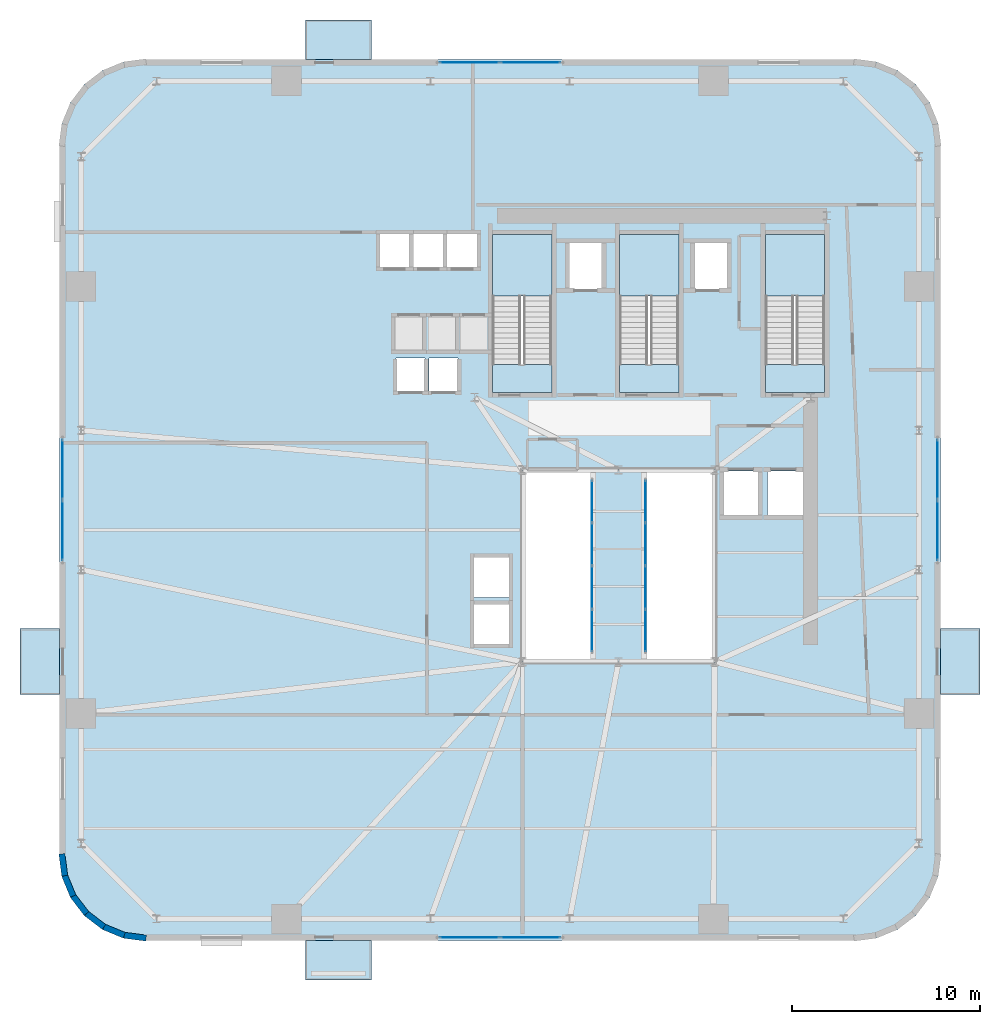
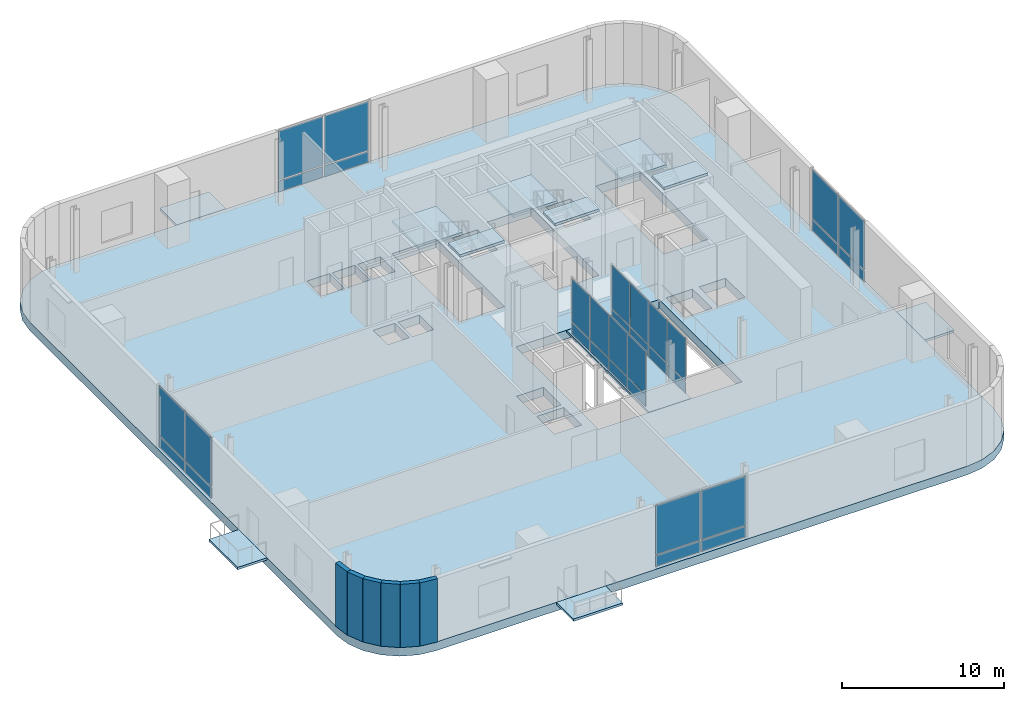
# One storey, part 6 of 13: 32 plates, 12 slabs, 6 walls, 9 elements without a shape of their own.
"""IFC4 building model written with IfcOpenShell, lengths in metres."""

import ifcopenshell
import ifcopenshell.guid

model = None  # the IFC model being written
_history = None  # IfcOwnerHistory: only IFC2X3 demands one
_inside = {}  # id of a spatial element -> (the spatial element, [elements in it])
_under = {}  # id of a project, library or spatial element -> (it, [spatial elements below it])
_declared = {}  # id of a project -> (the project, [libraries it declares])
_typed = {}  # id of a type object -> (the type object, [elements of that type])
_made_of = {}  # id of a material, layer set ... -> (it, [elements and type objects made of it])


def new_model(schema):
    """Start an empty IFC model of exactly this schema.

    Asked for "IFC4X3", IfcOpenShell would pick the latest addendum, in which some entities
    have other attributes; the version numbers below select the first issue.
    IFC2X3 requires an IfcOwnerHistory on every rooted entity: one is made here for all.
    """
    global model, _history
    if schema == "IFC4X3":
        model = ifcopenshell.file(schema_version=(4, 3, 0, 0))
    else:
        model = ifcopenshell.file(schema=schema)
    _inside.clear()
    _under.clear()
    _declared.clear()
    _typed.clear()
    _made_of.clear()
    _history = None
    if model.schema == "IFC2X3":
        org = make("IfcOrganization", Name="unknown")
        user = make(
            "IfcPersonAndOrganization",
            ThePerson=make("IfcPerson", FamilyName="unknown"),
            TheOrganization=org,
        )
        app = make(
            "IfcApplication",
            ApplicationDeveloper=org,
            Version="unknown",
            ApplicationFullName="unknown",
            ApplicationIdentifier="unknown",
        )
        _history = make(
            "IfcOwnerHistory",
            OwningUser=user,
            OwningApplication=app,
            ChangeAction="ADDED",
            CreationDate=0,
        )
    return model


def make(cls, **values):
    """One entity of the class cls with the attributes given. An attribute that is None is left unset."""
    return model.create_entity(
        cls, **{name: value for name, value in values.items() if value is not None}
    )


def rooted(cls, **values):
    """An entity with a GlobalId (a new one), such as an element, a storey or a relation."""
    return make(cls, GlobalId=ifcopenshell.guid.new(), OwnerHistory=_history, **values)


def si_unit(unit_type, name, prefix=None):
    """IfcSIUnit, for example si_unit("LENGTHUNIT", "METRE", prefix="MILLI")."""
    return make("IfcSIUnit", UnitType=unit_type, Prefix=prefix, Name=name)


def assignment(units):
    """IfcUnitAssignment: the units of a project."""
    return None if units is None else make("IfcUnitAssignment", Units=units)


def point(xyz):
    """IfcCartesianPoint."""
    return None if xyz is None else make("IfcCartesianPoint", Coordinates=xyz)


def direction(xyz):
    """IfcDirection."""
    return None if xyz is None else make("IfcDirection", DirectionRatios=xyz)


def frame(location, z_axis=None, x_axis=None):
    """IfcAxis2Placement3D, a coordinate frame: its origin and axes. An axis left out is left unset."""
    return make(
        "IfcAxis2Placement3D",
        Location=point(location),
        Axis=direction(z_axis),
        RefDirection=direction(x_axis),
    )


def frame_2d(location, x_axis=None):
    """IfcAxis2Placement2D, a coordinate frame in the plane: its origin and x axis."""
    return make(
        "IfcAxis2Placement2D", Location=point(location), RefDirection=direction(x_axis)
    )


def origin():
    """The frame at (0, 0, 0) with its axes left unset."""
    return frame((0.0, 0.0, 0.0))


def origin_2d():
    """The frame at (0, 0) in the plane with its x axis left unset."""
    return frame_2d((0.0, 0.0))


def place(relative_to, where):
    """IfcLocalPlacement: puts the frame where relative to a parent placement (None: the world)."""
    return make(
        "IfcLocalPlacement", PlacementRelTo=relative_to, RelativePlacement=where
    )


def context(
    kind, dimensions, precision=None, world=None, true_north=None, identifier=None
):
    """IfcGeometricRepresentationContext, for example the 3D "Model" context."""
    return make(
        "IfcGeometricRepresentationContext",
        ContextIdentifier=identifier,
        ContextType=kind,
        CoordinateSpaceDimension=dimensions,
        Precision=precision,
        WorldCoordinateSystem=world,
        TrueNorth=true_north,
    )


def subcontext(parent, identifier, kind, view, scale=None):
    """IfcGeometricRepresentationSubContext, for example "Body" below "Model"."""
    return make(
        "IfcGeometricRepresentationSubContext",
        ContextIdentifier=identifier,
        ContextType=kind,
        ParentContext=parent,
        TargetScale=scale,
        TargetView=view,
    )


def project(units=None, contexts=None):
    """IfcProject with its units and contexts."""
    return rooted(
        "IfcProject",
        Name="project",
        RepresentationContexts=contexts,
        UnitsInContext=assignment(units),
    )


def spatial(cls, under=None, at=None, **own):
    """A site, building, storey or space (cls), placed at a placement, below another one or the project."""
    s = rooted(cls, ObjectPlacement=at, **own)
    if under is not None:
        _under.setdefault(under.id(), (under, []))[1].append(s)
    return s


def polyline(points):
    """IfcPolyline through the points."""
    return make("IfcPolyline", Points=[point(p) for p in points])


def profile(cls, at=None, kind="AREA", **sizes):
    """A parametric profile (cls). Its sizes go by their IFC names, for example OverallWidth=200.0."""
    return make(cls, ProfileType=kind, Position=at, **sizes)


def rectangle(**sizes):
    """IfcRectangleProfileDef."""
    return profile("IfcRectangleProfileDef", **sizes)


def outline(outer, holes=None, kind="AREA"):
    """IfcArbitraryClosedProfileDef: a profile drawn as a closed curve; with holes, ...WithVoids."""
    if holes is None:
        return make("IfcArbitraryClosedProfileDef", ProfileType=kind, OuterCurve=outer)
    return make(
        "IfcArbitraryProfileDefWithVoids",
        ProfileType=kind,
        OuterCurve=outer,
        InnerCurves=holes,
    )


def extrude(swept, where, along, depth):
    """IfcExtrudedAreaSolid: the profile swept, set in the frame where, extruded along a direction by depth."""
    return make(
        "IfcExtrudedAreaSolid",
        SweptArea=swept,
        Position=where,
        ExtrudedDirection=direction(along),
        Depth=depth,
    )


def shape(context_of_items, identifier, shape_type, items):
    """IfcShapeRepresentation: the items that make up one representation, for example the "Body"."""
    return make(
        "IfcShapeRepresentation",
        ContextOfItems=context_of_items,
        RepresentationIdentifier=identifier,
        RepresentationType=shape_type,
        Items=items,
    )


def source(mapping_origin, context_of_items, identifier, shape_type, items):
    """IfcRepresentationMap: a shape defined once, which mapped items show again and again."""
    return make(
        "IfcRepresentationMap",
        MappingOrigin=mapping_origin,
        MappedRepresentation=shape(context_of_items, identifier, shape_type, items),
    )


def transform(
    local_origin,
    x_axis=None,
    y_axis=None,
    z_axis=None,
    scale=None,
    scale2=None,
    scale3=None,
    uniform=True,
):
    """IfcCartesianTransformationOperator3D, or its non-uniform kind. x_axis, y_axis, z_axis: its Axis1, 2, 3."""
    if uniform:
        return make(
            "IfcCartesianTransformationOperator3D",
            Axis1=direction(x_axis),
            Axis2=direction(y_axis),
            LocalOrigin=point(local_origin),
            Scale=scale,
            Axis3=direction(z_axis),
        )
    return make(
        "IfcCartesianTransformationOperator3DnonUniform",
        Axis1=direction(x_axis),
        Axis2=direction(y_axis),
        LocalOrigin=point(local_origin),
        Scale=scale,
        Axis3=direction(z_axis),
        Scale2=scale2,
        Scale3=scale3,
    )


def mapped(mapping_source, mapping_target):
    """IfcMappedItem: shows the shape of a source again, moved by a transform."""
    return make(
        "IfcMappedItem", MappingSource=mapping_source, MappingTarget=mapping_target
    )


def material(Name=None, Category=None):
    """IfcMaterial."""
    return make("IfcMaterial", Name=Name, Category=Category)


def layer(
    of_material, thickness, ventilated=None, Name=None, Category=None, Priority=None
):
    """IfcMaterialLayer: one layer of a wall or slab, of a material (None: an air gap)."""
    return make(
        "IfcMaterialLayer",
        Material=of_material,
        LayerThickness=thickness,
        IsVentilated=ventilated,
        Name=Name,
        Category=Category,
        Priority=Priority,
    )


def layer_set(layers, Name=None):
    """IfcMaterialLayerSet."""
    return make("IfcMaterialLayerSet", MaterialLayers=layers, LayerSetName=Name)


def made_of(thing, what):
    """Note that an element or type object is made of a material, layer set ...; save() writes the relation."""
    if what is not None:
        _made_of.setdefault(what.id(), (what, []))[1].append(thing)
    return thing


def type_object(cls, material=None, **own):
    """A type object (cls), such as IfcWallType, which elements share."""
    return made_of(rooted(cls, **own), material)


def element(
    cls,
    number,
    at=None,
    inside=None,
    cuts=None,
    type_object=None,
    material=None,
    context=None,
    identifier="Body",
    shape_type=None,
    held_by="IfcProductDefinitionShape",
    body=None,
    shapes=None,
    **own,
):
    """One element of the class cls, such as IfcWall. Its Tag is "e" and its number.

    at: its placement. inside: the storey or other place that contains it. cuts: it is an
    opening in that element (IfcRelVoidsElement). A single representation is given by context,
    identifier, shape_type and body (its items); several are given by shapes. held_by: the class
    of the entity that holds the representations. save() writes the other relations.
    """
    e = rooted(cls, Tag="e%d" % number, ObjectPlacement=at, **own)
    if body is not None:
        shapes = [shape(context, identifier, shape_type, body)]
    if shapes is not None:
        e.Representation = make(held_by, Representations=shapes)
    if inside is not None:
        _inside.setdefault(inside.id(), (inside, []))[1].append(e)
    if cuts is not None:
        rooted(
            "IfcRelVoidsElement", RelatingBuildingElement=cuts, RelatedOpeningElement=e
        )
    if type_object is not None:
        _typed.setdefault(type_object.id(), (type_object, []))[1].append(e)
    return made_of(e, material)


def aggregate(whole, parts):
    """IfcRelAggregates: a whole, such as a stair, and the parts it consists of."""
    return rooted("IfcRelAggregates", RelatingObject=whole, RelatedObjects=parts)


def save(model, path):
    """Write the relations noted so far, then the file.

    IfcRelAggregates (storeys below a building ...), IfcRelContainedInSpatialStructure (elements
    in a storey), IfcRelDefinesByType, IfcRelAssociatesMaterial and IfcRelDeclares: one each for
    every whole, place, type object, material and project.
    """
    for whole, parts in _under.values():
        aggregate(whole, parts)
    for where, things in _inside.values():
        rooted(
            "IfcRelContainedInSpatialStructure",
            RelatedElements=things,
            RelatingStructure=where,
        )
    for kind, things in _typed.values():
        rooted("IfcRelDefinesByType", RelatedObjects=things, RelatingType=kind)
    for what, things in _made_of.values():
        rooted("IfcRelAssociatesMaterial", RelatedObjects=things, RelatingMaterial=what)
    for by, libraries in _declared.values():
        rooted("IfcRelDeclares", RelatingContext=by, RelatedDefinitions=libraries)
    model.write(path)


model = new_model("IFC4")

# Units and contexts
model_context = context("Model", 3, precision=1e-05, world=origin(), true_north=direction((0.0, 1.0)))
body_context = subcontext(model_context, "Body", "Model", "MODEL_VIEW")
ifc_project = project(units=[si_unit("LENGTHUNIT", "METRE"), si_unit("AREAUNIT", "SQUARE_METRE"), si_unit("VOLUMEUNIT", "CUBIC_METRE"), si_unit("PLANEANGLEUNIT", "RADIAN"), si_unit("MASSUNIT", "GRAM", prefix="KILO")], contexts=[model_context])

# Site, building, storey
site_placement = place(None, origin())
site = spatial("IfcSite", under=ifc_project, at=site_placement, CompositionType="ELEMENT")
building_placement = place(site_placement, origin())
building = spatial("IfcBuilding", under=site, at=building_placement, Name="Vardaveli Station Tower", CompositionType="ELEMENT")
storey_placement = place(building_placement, frame((0.0, 0.0, 98.699951171875)))
storey = spatial("IfcBuildingStorey", under=building, at=storey_placement, Name="L25", CompositionType="ELEMENT", Elevation=98.699951171875)

# Stair, slabs
ifc_material_1 = material(Name="Concrete C40/50", Category="concrete")
stair_type = type_object("IfcStairType", Name="STR-CORE-1500", PredefinedType="HALF_TURN_STAIR", material=ifc_material_1)
stair_1_placement = place(storey_placement, origin())
stair_1 = element("IfcStair", 1, at=stair_1_placement, inside=storey, type_object=stair_type, Name="L25 ST-1", PredefinedType="HALF_TURN_STAIR")
ifc_layer_1 = layer(ifc_material_1, 0.199951171875, Name="Concrete C40/50")
ifc_layer_set_1 = layer_set([ifc_layer_1], Name="Concrete C40/50")
slab_type_1 = type_object("IfcSlabType", Name="SLB-LAND-200", PredefinedType="LANDING", material=ifc_layer_set_1)
slab_1_placement = place(storey_placement, frame((0.0, 0.0, 2.300048828125)))
slab_1 = element("IfcSlab", 2, at=slab_1_placement, type_object=slab_type_1, Name="ST-1 landing 1", PredefinedType="LANDING", context=body_context, shape_type="SweptSolid", body=[
    extrude(outline(polyline([(32.75, 36.0400390625), (32.75, 39.300048828125), (29.60009765625, 39.300048828125), (29.60009765625, 36.0400390625), (32.75, 36.0400390625)])), origin(), (0.0, 0.0, 1.0), 0.199951171875),
])
slab_2_placement = place(storey_placement, frame((0.0, 0.0, 4.800048828125)))
slab_2 = element("IfcSlab", 3, at=slab_2_placement, type_object=slab_type_1, Name="ST-1 landing 2", PredefinedType="LANDING", context=body_context, shape_type="SweptSolid", body=[
    extrude(outline(polyline([(32.75, 30.89990234375), (32.75, 32.39990234375), (29.60009765625, 32.39990234375), (29.60009765625, 30.89990234375), (32.75, 30.89990234375)])), origin(), (0.0, 0.0, 1.0), 0.199951171875),
])
aggregate(stair_1, [slab_1, slab_2])

stair_2_placement = place(storey_placement, origin())
stair_2 = element("IfcStair", 4, at=stair_2_placement, inside=storey, type_object=stair_type, Name="L25 ST-2", PredefinedType="HALF_TURN_STAIR")
slab_3_placement = place(storey_placement, frame((0.0, 0.0, 2.300048828125)))
slab_3 = element("IfcSlab", 5, at=slab_3_placement, type_object=slab_type_1, Name="ST-2 landing 1", PredefinedType="LANDING", context=body_context, shape_type="SweptSolid", body=[
    extrude(outline(polyline([(39.5, 36.0400390625), (39.5, 39.300048828125), (36.35009765625, 39.300048828125), (36.35009765625, 36.0400390625), (39.5, 36.0400390625)])), origin(), (0.0, 0.0, 1.0), 0.199951171875),
])
slab_4_placement = place(storey_placement, frame((0.0, 0.0, 4.800048828125)))
slab_4 = element("IfcSlab", 6, at=slab_4_placement, type_object=slab_type_1, Name="ST-2 landing 2", PredefinedType="LANDING", context=body_context, shape_type="SweptSolid", body=[
    extrude(outline(polyline([(39.5, 30.89990234375), (39.5, 32.39990234375), (36.35009765625, 32.39990234375), (36.35009765625, 30.89990234375), (39.5, 30.89990234375)])), origin(), (0.0, 0.0, 1.0), 0.199951171875),
])
aggregate(stair_2, [slab_3, slab_4])

stair_3_placement = place(storey_placement, origin())
stair_3 = element("IfcStair", 7, at=stair_3_placement, inside=storey, type_object=stair_type, Name="L25 ST-3", PredefinedType="HALF_TURN_STAIR")
slab_5_placement = place(storey_placement, frame((0.0, 0.0, 2.300048828125)))
slab_5 = element("IfcSlab", 8, at=slab_5_placement, type_object=slab_type_1, Name="ST-3 landing 1", PredefinedType="LANDING", context=body_context, shape_type="SweptSolid", body=[
    extrude(outline(polyline([(47.25, 36.0400390625), (47.25, 39.300048828125), (44.10009765625, 39.300048828125), (44.10009765625, 36.0400390625), (47.25, 36.0400390625)])), origin(), (0.0, 0.0, 1.0), 0.199951171875),
])
slab_6_placement = place(storey_placement, frame((0.0, 0.0, 4.800048828125)))
slab_6 = element("IfcSlab", 9, at=slab_6_placement, type_object=slab_type_1, Name="ST-3 landing 2", PredefinedType="LANDING", context=body_context, shape_type="SweptSolid", body=[
    extrude(outline(polyline([(47.25, 30.89990234375), (47.25, 32.39990234375), (44.10009765625, 32.39990234375), (44.10009765625, 30.89990234375), (47.25, 30.89990234375)])), origin(), (0.0, 0.0, 1.0), 0.199951171875),
])
aggregate(stair_3, [slab_5, slab_6])

# Slabs
ifc_material_2 = material(Name="Precast concrete C45/55", Category="concrete")
ifc_layer_2 = layer(ifc_material_2, 0.179931640625, Name="Precast concrete C45/55")
ifc_layer_set_2 = layer_set([ifc_layer_2], Name="Precast concrete C45/55")
slab_type_2 = type_object("IfcSlabType", Name="SLB-LOGGIA-180", PredefinedType="FLOOR", material=ifc_layer_set_2)
slab_7_placement = place(storey_placement, frame((0.0, 0.0, -0.179931640625)))
element("IfcSlab", 10, at=slab_7_placement, inside=storey, type_object=slab_type_2, Name="LOG-L25-S", PredefinedType="FLOOR", context=body_context, shape_type="SweptSolid", body=[
    extrude(outline(polyline([(19.660400390625, -0.300048828125), (23.160400390625, -0.300048828125), (23.160400390625, 1.800048828125), (19.660400390625, 1.800048828125), (19.660400390625, -0.300048828125)])), origin(), (0.0, 0.0, 1.0), 0.179931640625),
])
slab_8_placement = place(storey_placement, frame((0.0, 0.0, -0.179931640625)))
element("IfcSlab", 11, at=slab_8_placement, inside=storey, type_object=slab_type_2, Name="LOG-L25-N", PredefinedType="FLOOR", context=body_context, shape_type="SweptSolid", body=[
    extrude(outline(polyline([(19.660400390625, 48.60009765625), (23.160400390625, 48.60009765625), (23.160400390625, 50.699951171875), (19.660400390625, 50.699951171875), (19.660400390625, 48.60009765625)])), origin(), (0.0, 0.0, 1.0), 0.179931640625),
])
slab_9_placement = place(storey_placement, frame((0.0, 0.0, -0.179931640625)))
element("IfcSlab", 12, at=slab_9_placement, inside=storey, type_object=slab_type_2, Name="LOG-L25-W", PredefinedType="FLOOR", context=body_context, shape_type="SweptSolid", body=[
    extrude(outline(polyline([(4.5, 14.8603515625), (6.60009765625, 14.8603515625), (6.60009765625, 18.3603515625), (4.5, 18.3603515625), (4.5, 14.8603515625)])), origin(), (0.0, 0.0, 1.0), 0.179931640625),
])
slab_10_placement = place(storey_placement, frame((0.0, 0.0, -0.179931640625)))
element("IfcSlab", 13, at=slab_10_placement, inside=storey, type_object=slab_type_2, Name="LOG-L25-E", PredefinedType="FLOOR", context=body_context, shape_type="SweptSolid", body=[
    extrude(outline(polyline([(53.39990234375, 14.8603515625), (55.5, 14.8603515625), (55.5, 18.3603515625), (53.39990234375, 18.3603515625), (53.39990234375, 14.8603515625)])), origin(), (0.0, 0.0, 1.0), 0.179931640625),
])
ifc_material_3 = material(Name="Concrete C50/60", Category="concrete")
ifc_layer_3 = layer(ifc_material_3, 0.64990234375, Name="Concrete C50/60")
ifc_layer_set_3 = layer_set([ifc_layer_3], Name="Concrete C50/60")
slab_type_3 = type_object("IfcSlabType", Name="SLB-TRANS-600", PredefinedType="FLOOR", material=ifc_layer_set_3)
slab_11_placement = place(storey_placement, frame((0.0, 0.0, -0.64990234375)))
element("IfcSlab", 14, at=slab_11_placement, inside=storey, type_object=slab_type_3, Name="SLB-L25-MAIN", PredefinedType="FLOOR", context=body_context, shape_type="SweptSolid", body=[
    extrude(outline(polyline([(6.60009765625, 6.300048828125), (6.75341796875, 5.13525390625), (7.202880859375, 4.050048828125), (7.91796875, 3.117919921875), (8.85009765625, 2.40283203125), (9.935302734375, 1.953369140625), (11.10009765625, 1.800048828125), (48.89990234375, 1.800048828125), (50.064697265625, 1.953369140625), (51.14990234375, 2.40283203125), (52.08203125, 3.117919921875), (52.797119140625, 4.050048828125), (53.24658203125, 5.13525390625), (53.39990234375, 6.300048828125), (53.39990234375, 44.10009765625), (53.24658203125, 45.2646484375), (52.797119140625, 46.35009765625), (52.08203125, 47.281982421875), (51.14990234375, 47.9970703125), (50.064697265625, 48.44677734375), (48.89990234375, 48.60009765625), (11.10009765625, 48.60009765625), (9.935302734375, 48.44677734375), (8.85009765625, 47.9970703125), (7.91796875, 47.281982421875), (7.202880859375, 46.35009765625), (6.75341796875, 45.2646484375), (6.60009765625, 44.10009765625), (6.60009765625, 6.300048828125)]), holes=[polyline([(31.199951171875, 16.60009765625), (41.39990234375, 16.60009765625), (41.39990234375, 26.800048828125), (31.199951171875, 26.800048828125), (31.199951171875, 16.60009765625)]), polyline([(32.75, 30.89990234375), (32.75, 39.300048828125), (29.60009765625, 39.300048828125), (29.60009765625, 30.89990234375), (32.75, 30.89990234375)]), polyline([(39.5, 30.89990234375), (39.5, 39.300048828125), (36.35009765625, 39.300048828125), (36.35009765625, 30.89990234375), (39.5, 30.89990234375)]), polyline([(47.25, 30.89990234375), (47.25, 39.300048828125), (44.10009765625, 39.300048828125), (44.10009765625, 30.89990234375), (47.25, 30.89990234375)]), polyline([(23.5849609375, 37.534912109375), (25.215087890625, 37.534912109375), (25.215087890625, 39.364990234375), (23.5849609375, 39.364990234375), (23.5849609375, 37.534912109375)]), polyline([(25.385009765625, 37.534912109375), (27.014892578125, 37.534912109375), (27.014892578125, 39.364990234375), (25.385009765625, 39.364990234375), (25.385009765625, 37.534912109375)]), polyline([(27.18505859375, 37.534912109375), (28.81494140625, 37.534912109375), (28.81494140625, 39.364990234375), (27.18505859375, 39.364990234375), (27.18505859375, 37.534912109375)]), polyline([(33.659912109375, 36.409912109375), (35.43994140625, 36.409912109375), (35.43994140625, 38.889892578125), (33.659912109375, 38.889892578125), (33.659912109375, 36.409912109375)]), polyline([(40.31005859375, 36.409912109375), (42.090087890625, 36.409912109375), (42.090087890625, 38.889892578125), (40.31005859375, 38.889892578125), (40.31005859375, 36.409912109375)]), polyline([(24.485107421875, 30.9599609375), (26.014892578125, 30.9599609375), (26.014892578125, 32.739990234375), (24.485107421875, 32.739990234375), (24.485107421875, 30.9599609375)]), polyline([(26.235107421875, 30.9599609375), (27.764892578125, 30.9599609375), (27.764892578125, 32.739990234375), (26.235107421875, 32.739990234375), (26.235107421875, 30.9599609375)]), polyline([(28.5849609375, 17.510009765625), (30.514892578125, 17.510009765625), (30.514892578125, 19.68994140625), (28.5849609375, 19.68994140625), (28.5849609375, 17.510009765625)]), polyline([(28.5849609375, 20.010009765625), (30.514892578125, 20.010009765625), (30.514892578125, 22.18994140625), (28.5849609375, 22.18994140625), (28.5849609375, 20.010009765625)]), polyline([(41.860107421875, 24.360107421875), (43.739990234375, 24.360107421875), (43.739990234375, 26.739990234375), (41.860107421875, 26.739990234375), (41.860107421875, 24.360107421875)]), polyline([(44.2099609375, 24.360107421875), (46.090087890625, 24.360107421875), (46.090087890625, 26.739990234375), (44.2099609375, 26.739990234375), (44.2099609375, 24.360107421875)])]), origin(), (0.0, 0.0, 1.0), 0.64990234375),
])
ifc_layer_4 = layer(ifc_material_1, 0.159912109375, Name="Concrete C40/50")
ifc_layer_set_4 = layer_set([ifc_layer_4], Name="Concrete C40/50")
slab_type_4 = type_object("IfcSlabType", Name="SLB-WALKWAY-160", PredefinedType="FLOOR", material=ifc_layer_set_4)
slab_12_placement = place(storey_placement, frame((0.0, 0.0, -0.159912109375)))
element("IfcSlab", 15, at=slab_12_placement, inside=storey, type_object=slab_type_4, Name="SLB-L25-WALKWAY", PredefinedType="FLOOR", context=body_context, shape_type="SweptSolid", body=[
    extrude(outline(polyline([(34.800048828125, 16.6201171875), (37.800048828125, 16.6201171875), (37.800048828125, 26.780029296875), (34.800048828125, 26.780029296875), (34.800048828125, 16.6201171875)])), origin(), (0.0, 0.0, 1.0), 0.159912109375),
])

# Curtain wall, plates
ifc_material_4 = material(Name="Travertine stone and solar-control glass", Category="masonry")
curtain_wall_type_1 = type_object("IfcCurtainWallType", Name="CW-SYS-3", PredefinedType="NOTDEFINED", material=ifc_material_4)
curtain_wall_1_placement = place(storey_placement, origin())
curtain_wall_1 = element("IfcCurtainWall", 16, at=curtain_wall_1_placement, inside=storey, type_object=curtain_wall_type_1, Name="CW-L25-S", PredefinedType="NOTDEFINED")
ifc_material_5 = material(Name="Double-glazed low-E solar-control glass", Category="glass")
ifc_layer_5 = layer(ifc_material_5, 0.0419921875, Name="Double-glazed low-E solar-control glass")
ifc_layer_set_5 = layer_set([ifc_layer_5], Name="Double-glazed low-E solar-control glass")
plate_type_1 = type_object("IfcPlateType", Name="CW-SYS-3-PAN", PredefinedType="CURTAIN_PANEL", material=ifc_layer_set_5)
shared_shape_1 = source(origin(), body_context, "Body", "SweptSolid", [
    extrude(rectangle(XDim=3.1650390625, YDim=0.0419921875, at=origin_2d()), origin(), (0.0, 0.0, 1.0), 0.81494140625),
])
plate_1_placement = place(storey_placement, frame((28.37255859375, 1.9599609375, 0.090087890625), z_axis=(0.0, 0.0, 1.0), x_axis=(1.0, 0.0, 0.0)))
plate_1 = element("IfcPlate", 17, at=plate_1_placement, type_object=plate_type_1, Name="CW-3 panel 1.1", PredefinedType="CURTAIN_PANEL", context=body_context, shape_type="MappedRepresentation", body=[
    mapped(shared_shape_1, transform((0.0, 0.0, 0.0), scale=1.0)),
])
plate_2_placement = place(storey_placement, frame((31.62744140625, 1.9599609375, 0.090087890625), z_axis=(0.0, 0.0, 1.0), x_axis=(1.0, 0.0, 0.0)))
plate_2 = element("IfcPlate", 18, at=plate_2_placement, type_object=plate_type_1, Name="CW-3 panel 2.1", PredefinedType="CURTAIN_PANEL", context=body_context, shape_type="MappedRepresentation", body=[
    mapped(shared_shape_1, transform((0.0, 0.0, 0.0), scale=1.0)),
])

curtain_wall_2_placement = place(storey_placement, origin())
curtain_wall_2 = element("IfcCurtainWall", 19, at=curtain_wall_2_placement, inside=storey, type_object=curtain_wall_type_1, Name="CW-L25-N", PredefinedType="NOTDEFINED")
plate_3_placement = place(storey_placement, frame((31.62744140625, 48.43994140625, 0.090087890625), z_axis=(0.0, 0.0, 1.0), x_axis=(-1.0, 0.0, 0.0)))
plate_3 = element("IfcPlate", 20, at=plate_3_placement, type_object=plate_type_1, Name="CW-3 panel 1.1", PredefinedType="CURTAIN_PANEL", context=body_context, shape_type="MappedRepresentation", body=[
    mapped(shared_shape_1, transform((0.0, 0.0, 0.0), scale=1.0)),
])
plate_4_placement = place(storey_placement, frame((28.37255859375, 48.43994140625, 0.090087890625), z_axis=(0.0, 0.0, 1.0), x_axis=(-1.0, 0.0, 0.0)))
plate_4 = element("IfcPlate", 21, at=plate_4_placement, type_object=plate_type_1, Name="CW-3 panel 2.1", PredefinedType="CURTAIN_PANEL", context=body_context, shape_type="MappedRepresentation", body=[
    mapped(shared_shape_1, transform((0.0, 0.0, 0.0), scale=1.0)),
])

curtain_wall_3_placement = place(storey_placement, origin())
curtain_wall_3 = element("IfcCurtainWall", 22, at=curtain_wall_3_placement, inside=storey, type_object=curtain_wall_type_1, Name="CW-L25-W", PredefinedType="NOTDEFINED")
plate_5_placement = place(storey_placement, frame((6.760009765625, 26.827392578125, 0.090087890625), z_axis=(0.0, 0.0, 1.0), x_axis=(0.0, -1.0, 0.0)))
plate_5 = element("IfcPlate", 23, at=plate_5_placement, type_object=plate_type_1, Name="CW-3 panel 1.1", PredefinedType="CURTAIN_PANEL", context=body_context, shape_type="MappedRepresentation", body=[
    mapped(shared_shape_1, transform((0.0, 0.0, 0.0), scale=1.0)),
])
plate_6_placement = place(storey_placement, frame((6.760009765625, 23.572509765625, 0.090087890625), z_axis=(0.0, 0.0, 1.0), x_axis=(0.0, -1.0, 0.0)))
plate_6 = element("IfcPlate", 24, at=plate_6_placement, type_object=plate_type_1, Name="CW-3 panel 2.1", PredefinedType="CURTAIN_PANEL", context=body_context, shape_type="MappedRepresentation", body=[
    mapped(shared_shape_1, transform((0.0, 0.0, 0.0), scale=1.0)),
])

curtain_wall_4_placement = place(storey_placement, origin())
curtain_wall_4 = element("IfcCurtainWall", 25, at=curtain_wall_4_placement, inside=storey, type_object=curtain_wall_type_1, Name="CW-L25-E", PredefinedType="NOTDEFINED")
plate_7_placement = place(storey_placement, frame((53.239990234375, 23.572509765625, 0.090087890625), z_axis=(0.0, 0.0, 1.0), x_axis=(0.0, 1.0, 0.0)))
plate_7 = element("IfcPlate", 26, at=plate_7_placement, type_object=plate_type_1, Name="CW-3 panel 1.1", PredefinedType="CURTAIN_PANEL", context=body_context, shape_type="MappedRepresentation", body=[
    mapped(shared_shape_1, transform((0.0, 0.0, 0.0), scale=1.0)),
])
plate_8_placement = place(storey_placement, frame((53.239990234375, 26.827392578125, 0.090087890625), z_axis=(0.0, 0.0, 1.0), x_axis=(0.0, 1.0, 0.0)))
plate_8 = element("IfcPlate", 27, at=plate_8_placement, type_object=plate_type_1, Name="CW-3 panel 2.1", PredefinedType="CURTAIN_PANEL", context=body_context, shape_type="MappedRepresentation", body=[
    mapped(shared_shape_1, transform((0.0, 0.0, 0.0), scale=1.0)),
])

# Plate
shared_shape_2 = source(origin(), body_context, "Body", "SweptSolid", [
    extrude(rectangle(XDim=3.1650390625, YDim=0.0419921875, at=origin_2d()), origin(), (0.0, 0.0, 1.0), 3.675048828125),
])
plate_9_placement = place(storey_placement, frame((28.37255859375, 1.9599609375, 0.9951171875), z_axis=(0.0, 0.0, 1.0), x_axis=(1.0, 0.0, 0.0)))
plate_9 = element("IfcPlate", 28, at=plate_9_placement, type_object=plate_type_1, Name="CW-3 panel 1.2", PredefinedType="CURTAIN_PANEL", context=body_context, shape_type="MappedRepresentation", body=[
    mapped(shared_shape_2, transform((0.0, 0.0, 0.0), scale=1.0)),
])

plate_10_placement = place(storey_placement, frame((31.62744140625, 1.9599609375, 0.9951171875), z_axis=(0.0, 0.0, 1.0), x_axis=(1.0, 0.0, 0.0)))
plate_10 = element("IfcPlate", 29, at=plate_10_placement, type_object=plate_type_1, Name="CW-3 panel 2.2", PredefinedType="CURTAIN_PANEL", context=body_context, shape_type="MappedRepresentation", body=[
    mapped(shared_shape_2, transform((0.0, 0.0, 0.0), scale=1.0)),
])

aggregate(curtain_wall_1, [plate_1, plate_9, plate_2, plate_10])

plate_11_placement = place(storey_placement, frame((31.62744140625, 48.43994140625, 0.9951171875), z_axis=(0.0, 0.0, 1.0), x_axis=(-1.0, 0.0, 0.0)))
plate_11 = element("IfcPlate", 30, at=plate_11_placement, type_object=plate_type_1, Name="CW-3 panel 1.2", PredefinedType="CURTAIN_PANEL", context=body_context, shape_type="MappedRepresentation", body=[
    mapped(shared_shape_2, transform((0.0, 0.0, 0.0), scale=1.0)),
])

plate_12_placement = place(storey_placement, frame((28.37255859375, 48.43994140625, 0.9951171875), z_axis=(0.0, 0.0, 1.0), x_axis=(-1.0, 0.0, 0.0)))
plate_12 = element("IfcPlate", 31, at=plate_12_placement, type_object=plate_type_1, Name="CW-3 panel 2.2", PredefinedType="CURTAIN_PANEL", context=body_context, shape_type="MappedRepresentation", body=[
    mapped(shared_shape_2, transform((0.0, 0.0, 0.0), scale=1.0)),
])

aggregate(curtain_wall_2, [plate_3, plate_11, plate_4, plate_12])

plate_13_placement = place(storey_placement, frame((6.760009765625, 26.827392578125, 0.9951171875), z_axis=(0.0, 0.0, 1.0), x_axis=(0.0, -1.0, 0.0)))
plate_13 = element("IfcPlate", 32, at=plate_13_placement, type_object=plate_type_1, Name="CW-3 panel 1.2", PredefinedType="CURTAIN_PANEL", context=body_context, shape_type="MappedRepresentation", body=[
    mapped(shared_shape_2, transform((0.0, 0.0, 0.0), scale=1.0)),
])

plate_14_placement = place(storey_placement, frame((6.760009765625, 23.572509765625, 0.9951171875), z_axis=(0.0, 0.0, 1.0), x_axis=(0.0, -1.0, 0.0)))
plate_14 = element("IfcPlate", 33, at=plate_14_placement, type_object=plate_type_1, Name="CW-3 panel 2.2", PredefinedType="CURTAIN_PANEL", context=body_context, shape_type="MappedRepresentation", body=[
    mapped(shared_shape_2, transform((0.0, 0.0, 0.0), scale=1.0)),
])

aggregate(curtain_wall_3, [plate_5, plate_13, plate_6, plate_14])

plate_15_placement = place(storey_placement, frame((53.239990234375, 23.572509765625, 0.9951171875), z_axis=(0.0, 0.0, 1.0), x_axis=(0.0, 1.0, 0.0)))
plate_15 = element("IfcPlate", 34, at=plate_15_placement, type_object=plate_type_1, Name="CW-3 panel 1.2", PredefinedType="CURTAIN_PANEL", context=body_context, shape_type="MappedRepresentation", body=[
    mapped(shared_shape_2, transform((0.0, 0.0, 0.0), scale=1.0)),
])

plate_16_placement = place(storey_placement, frame((53.239990234375, 26.827392578125, 0.9951171875), z_axis=(0.0, 0.0, 1.0), x_axis=(0.0, 1.0, 0.0)))
plate_16 = element("IfcPlate", 35, at=plate_16_placement, type_object=plate_type_1, Name="CW-3 panel 2.2", PredefinedType="CURTAIN_PANEL", context=body_context, shape_type="MappedRepresentation", body=[
    mapped(shared_shape_2, transform((0.0, 0.0, 0.0), scale=1.0)),
])

aggregate(curtain_wall_4, [plate_7, plate_15, plate_8, plate_16])

# Curtain wall, plates
curtain_wall_type_2 = type_object("IfcCurtainWallType", Name="CW-SYS-4", PredefinedType="NOTDEFINED", material=ifc_material_4)
curtain_wall_5_placement = place(storey_placement, origin())
curtain_wall_5 = element("IfcCurtainWall", 36, at=curtain_wall_5_placement, inside=storey, type_object=curtain_wall_type_2, Name="CW-L25-BRW", PredefinedType="NOTDEFINED")
ifc_layer_6 = layer(ifc_material_5, 0.028076171875, Name="Double-glazed low-E solar-control glass")
ifc_layer_set_6 = layer_set([ifc_layer_6], Name="Double-glazed low-E solar-control glass")
plate_type_2 = type_object("IfcPlateType", Name="CW-SYS-4-PAN", PredefinedType="CURTAIN_PANEL", material=ifc_layer_set_6)
shared_shape_3 = source(origin(), body_context, "Body", "SweptSolid", [
    extrude(rectangle(XDim=2.195068359375, YDim=0.028076171875, at=origin_2d()), origin(), (0.0, 0.0, 1.0), 0.844970703125),
])
plate_17_placement = place(storey_placement, frame((34.8798828125, 18.267578125, 0.06982421875), z_axis=(0.0, 0.0, 1.0), x_axis=(0.0, 1.0, 0.0)))
plate_17 = element("IfcPlate", 37, at=plate_17_placement, type_object=plate_type_2, Name="CW-4 panel 1.1", PredefinedType="CURTAIN_PANEL", context=body_context, shape_type="MappedRepresentation", body=[
    mapped(shared_shape_3, transform((0.0, 0.0, 0.0), scale=1.0)),
])
plate_18_placement = place(storey_placement, frame((34.8798828125, 25.132568359375, 0.06982421875), z_axis=(0.0, 0.0, 1.0), x_axis=(0.0, 1.0, 0.0)))
plate_18 = element("IfcPlate", 38, at=plate_18_placement, type_object=plate_type_2, Name="CW-4 panel 4.1", PredefinedType="CURTAIN_PANEL", context=body_context, shape_type="MappedRepresentation", body=[
    mapped(shared_shape_3, transform((0.0, 0.0, 0.0), scale=1.0)),
])

curtain_wall_6_placement = place(storey_placement, origin())
curtain_wall_6 = element("IfcCurtainWall", 39, at=curtain_wall_6_placement, inside=storey, type_object=curtain_wall_type_2, Name="CW-L25-BRE", PredefinedType="NOTDEFINED")
plate_19_placement = place(storey_placement, frame((37.719970703125, 18.267578125, 0.06982421875), z_axis=(0.0, 0.0, 1.0), x_axis=(0.0, 1.0, 0.0)))
plate_19 = element("IfcPlate", 40, at=plate_19_placement, type_object=plate_type_2, Name="CW-4 panel 1.1", PredefinedType="CURTAIN_PANEL", context=body_context, shape_type="MappedRepresentation", body=[
    mapped(shared_shape_3, transform((0.0, 0.0, 0.0), scale=1.0)),
])
plate_20_placement = place(storey_placement, frame((37.719970703125, 25.132568359375, 0.06982421875), z_axis=(0.0, 0.0, 1.0), x_axis=(0.0, 1.0, 0.0)))
plate_20 = element("IfcPlate", 41, at=plate_20_placement, type_object=plate_type_2, Name="CW-4 panel 4.1", PredefinedType="CURTAIN_PANEL", context=body_context, shape_type="MappedRepresentation", body=[
    mapped(shared_shape_3, transform((0.0, 0.0, 0.0), scale=1.0)),
])

# Plate
shared_shape_4 = source(origin(), body_context, "Body", "SweptSolid", [
    extrude(rectangle(XDim=2.195068359375, YDim=0.028076171875, at=origin_2d()), origin(), (0.0, 0.0, 1.0), 3.2451171875),
])
plate_21_placement = place(storey_placement, frame((34.8798828125, 18.267578125, 0.985107421875), z_axis=(0.0, 0.0, 1.0), x_axis=(0.0, 1.0, 0.0)))
plate_21 = element("IfcPlate", 42, at=plate_21_placement, type_object=plate_type_2, Name="CW-4 panel 1.2", PredefinedType="CURTAIN_PANEL", context=body_context, shape_type="MappedRepresentation", body=[
    mapped(shared_shape_4, transform((0.0, 0.0, 0.0), scale=1.0)),
])

plate_22_placement = place(storey_placement, frame((34.8798828125, 25.132568359375, 0.985107421875), z_axis=(0.0, 0.0, 1.0), x_axis=(0.0, 1.0, 0.0)))
plate_22 = element("IfcPlate", 43, at=plate_22_placement, type_object=plate_type_2, Name="CW-4 panel 4.2", PredefinedType="CURTAIN_PANEL", context=body_context, shape_type="MappedRepresentation", body=[
    mapped(shared_shape_4, transform((0.0, 0.0, 0.0), scale=1.0)),
])

plate_23_placement = place(storey_placement, frame((37.719970703125, 18.267578125, 0.985107421875), z_axis=(0.0, 0.0, 1.0), x_axis=(0.0, 1.0, 0.0)))
plate_23 = element("IfcPlate", 44, at=plate_23_placement, type_object=plate_type_2, Name="CW-4 panel 1.2", PredefinedType="CURTAIN_PANEL", context=body_context, shape_type="MappedRepresentation", body=[
    mapped(shared_shape_4, transform((0.0, 0.0, 0.0), scale=1.0)),
])

plate_24_placement = place(storey_placement, frame((37.719970703125, 25.132568359375, 0.985107421875), z_axis=(0.0, 0.0, 1.0), x_axis=(0.0, 1.0, 0.0)))
plate_24 = element("IfcPlate", 45, at=plate_24_placement, type_object=plate_type_2, Name="CW-4 panel 4.2", PredefinedType="CURTAIN_PANEL", context=body_context, shape_type="MappedRepresentation", body=[
    mapped(shared_shape_4, transform((0.0, 0.0, 0.0), scale=1.0)),
])

shared_shape_5 = source(origin(), body_context, "Body", "SweptSolid", [
    extrude(rectangle(XDim=2.22998046875, YDim=0.028076171875, at=origin_2d()), origin(), (0.0, 0.0, 1.0), 0.844970703125),
])
plate_25_placement = place(storey_placement, frame((34.8798828125, 20.550048828125, 0.06982421875), z_axis=(0.0, 0.0, 1.0), x_axis=(0.0, 1.0, 0.0)))
plate_25 = element("IfcPlate", 46, at=plate_25_placement, type_object=plate_type_2, Name="CW-4 panel 2.1", PredefinedType="CURTAIN_PANEL", context=body_context, shape_type="MappedRepresentation", body=[
    mapped(shared_shape_5, transform((0.0, 0.0, 0.0), scale=1.0)),
])

plate_26_placement = place(storey_placement, frame((34.8798828125, 22.85009765625, 0.06982421875), z_axis=(0.0, 0.0, 1.0), x_axis=(0.0, 1.0, 0.0)))
plate_26 = element("IfcPlate", 47, at=plate_26_placement, type_object=plate_type_2, Name="CW-4 panel 3.1", PredefinedType="CURTAIN_PANEL", context=body_context, shape_type="MappedRepresentation", body=[
    mapped(shared_shape_5, transform((0.0, 0.0, 0.0), scale=1.0)),
])

plate_27_placement = place(storey_placement, frame((37.719970703125, 20.550048828125, 0.06982421875), z_axis=(0.0, 0.0, 1.0), x_axis=(0.0, 1.0, 0.0)))
plate_27 = element("IfcPlate", 48, at=plate_27_placement, type_object=plate_type_2, Name="CW-4 panel 2.1", PredefinedType="CURTAIN_PANEL", context=body_context, shape_type="MappedRepresentation", body=[
    mapped(shared_shape_5, transform((0.0, 0.0, 0.0), scale=1.0)),
])

plate_28_placement = place(storey_placement, frame((37.719970703125, 22.85009765625, 0.06982421875), z_axis=(0.0, 0.0, 1.0), x_axis=(0.0, 1.0, 0.0)))
plate_28 = element("IfcPlate", 49, at=plate_28_placement, type_object=plate_type_2, Name="CW-4 panel 3.1", PredefinedType="CURTAIN_PANEL", context=body_context, shape_type="MappedRepresentation", body=[
    mapped(shared_shape_5, transform((0.0, 0.0, 0.0), scale=1.0)),
])

shared_shape_6 = source(origin(), body_context, "Body", "SweptSolid", [
    extrude(rectangle(XDim=2.22998046875, YDim=0.028076171875, at=origin_2d()), origin(), (0.0, 0.0, 1.0), 3.2451171875),
])
plate_29_placement = place(storey_placement, frame((34.8798828125, 20.550048828125, 0.985107421875), z_axis=(0.0, 0.0, 1.0), x_axis=(0.0, 1.0, 0.0)))
plate_29 = element("IfcPlate", 50, at=plate_29_placement, type_object=plate_type_2, Name="CW-4 panel 2.2", PredefinedType="CURTAIN_PANEL", context=body_context, shape_type="MappedRepresentation", body=[
    mapped(shared_shape_6, transform((0.0, 0.0, 0.0), scale=1.0)),
])

plate_30_placement = place(storey_placement, frame((34.8798828125, 22.85009765625, 0.985107421875), z_axis=(0.0, 0.0, 1.0), x_axis=(0.0, 1.0, 0.0)))
plate_30 = element("IfcPlate", 51, at=plate_30_placement, type_object=plate_type_2, Name="CW-4 panel 3.2", PredefinedType="CURTAIN_PANEL", context=body_context, shape_type="MappedRepresentation", body=[
    mapped(shared_shape_6, transform((0.0, 0.0, 0.0), scale=1.0)),
])

aggregate(curtain_wall_5, [plate_17, plate_21, plate_25, plate_29, plate_26, plate_30, plate_18, plate_22])

plate_31_placement = place(storey_placement, frame((37.719970703125, 20.550048828125, 0.985107421875), z_axis=(0.0, 0.0, 1.0), x_axis=(0.0, 1.0, 0.0)))
plate_31 = element("IfcPlate", 52, at=plate_31_placement, type_object=plate_type_2, Name="CW-4 panel 2.2", PredefinedType="CURTAIN_PANEL", context=body_context, shape_type="MappedRepresentation", body=[
    mapped(shared_shape_6, transform((0.0, 0.0, 0.0), scale=1.0)),
])

plate_32_placement = place(storey_placement, frame((37.719970703125, 22.85009765625, 0.985107421875), z_axis=(0.0, 0.0, 1.0), x_axis=(0.0, 1.0, 0.0)))
plate_32 = element("IfcPlate", 53, at=plate_32_placement, type_object=plate_type_2, Name="CW-4 panel 3.2", PredefinedType="CURTAIN_PANEL", context=body_context, shape_type="MappedRepresentation", body=[
    mapped(shared_shape_6, transform((0.0, 0.0, 0.0), scale=1.0)),
])

aggregate(curtain_wall_6, [plate_19, plate_23, plate_27, plate_31, plate_28, plate_32, plate_20, plate_24])

# Walls
ifc_layer_7 = layer(ifc_material_2, 0.320068359375, Name="Precast concrete C45/55")
ifc_layer_set_7 = layer_set([ifc_layer_7], Name="Precast concrete C45/55")
wall_type = type_object("IfcWallType", Name="WAL-EXT-STONE-320", PredefinedType="SOLIDWALL", material=ifc_layer_set_7)
shared_shape_7 = source(origin(), body_context, "Body", "SweptSolid", [
    extrude(rectangle(XDim=1.170654296875, YDim=0.320068359375, at=frame_2d((0.58544921875, 0.0))), origin(), (0.0, 0.0, 1.0), 4.760009765625),
])
wall_1_placement = place(storey_placement, frame((6.724365234375, 6.400634765625, 0.0), z_axis=(0.0, 0.0, 1.0), x_axis=(0.128269133229, -0.991739395941, 0.0)))
element("IfcWall", 54, at=wall_1_placement, inside=storey, type_object=wall_type, Name="EW-L25-CR1-1", PredefinedType="SOLIDWALL", context=body_context, shape_type="MappedRepresentation", body=[
    mapped(shared_shape_7, transform((0.0, 0.0, 0.0), scale=1.0)),
])
shared_shape_8 = source(origin(), body_context, "Body", "SweptSolid", [
    extrude(rectangle(XDim=1.1689453125, YDim=0.320068359375, at=frame_2d((0.58447265625, 0.0))), origin(), (0.0, 0.0, 1.0), 4.760009765625),
])
for number, where, z_axis, x_axis, name in (
    (55, (6.87451171875, 5.23974609375, 0.0), (0.0, 0.0, 1.0), (0.381127904695, -0.924522320046, 0.0), "EW-L25-CR1-2"),
    (56, (7.320068359375, 4.158935546875, 0.0), (0.0, 0.0, 1.0), (0.608387696831, -0.793639975269, 0.0), "EW-L25-CR1-3"),
):
    element("IfcWall", number, at=place(storey_placement, frame(where, z_axis=z_axis, x_axis=x_axis)), inside=storey, type_object=wall_type, Name=name, PredefinedType="SOLIDWALL", context=body_context, shape_type="MappedRepresentation", body=[
        mapped(shared_shape_8, transform((0.0, 0.0, 0.0), scale=1.0)),
    ])
shared_shape_9 = source(origin(), body_context, "Body", "SweptSolid", [
    extrude(rectangle(XDim=1.168701171875, YDim=0.320068359375, at=frame_2d((0.58447265625, 0.0))), origin(), (0.0, 0.0, 1.0), 4.760009765625),
])
wall_2_placement = place(storey_placement, frame((8.03125, 3.231201171875, 0.0), z_axis=(0.0, 0.0, 1.0), x_axis=(0.793663520347, -0.608356981114, 0.0)))
element("IfcWall", 57, at=wall_2_placement, inside=storey, type_object=wall_type, Name="EW-L25-CR1-4", PredefinedType="SOLIDWALL", context=body_context, shape_type="MappedRepresentation", body=[
    mapped(shared_shape_9, transform((0.0, 0.0, 0.0), scale=1.0)),
])
shared_shape_10 = source(origin(), body_context, "Body", "SweptSolid", [
    extrude(rectangle(XDim=1.16943359375, YDim=0.320068359375, at=frame_2d((0.584716796875, 0.0))), origin(), (0.0, 0.0, 1.0), 4.760009765625),
])
wall_3_placement = place(storey_placement, frame((8.958740234375, 2.520263671875, 0.0), z_axis=(0.0, 0.0, 1.0), x_axis=(0.924479075121, -0.381232789334, 0.0)))
element("IfcWall", 58, at=wall_3_placement, inside=storey, type_object=wall_type, Name="EW-L25-CR1-5", PredefinedType="SOLIDWALL", context=body_context, shape_type="MappedRepresentation", body=[
    mapped(shared_shape_10, transform((0.0, 0.0, 0.0), scale=1.0)),
])
shared_shape_11 = source(origin(), body_context, "Body", "SweptSolid", [
    extrude(rectangle(XDim=1.170166015625, YDim=0.320068359375, at=frame_2d((0.5849609375, 0.0))), origin(), (0.0, 0.0, 1.0), 4.760009765625),
])
wall_4_placement = place(storey_placement, frame((10.039794921875, 2.074462890625, 0.0), z_axis=(0.0, 0.0, 1.0), x_axis=(0.991762485493, -0.128090485085, 0.0)))
element("IfcWall", 59, at=wall_4_placement, inside=storey, type_object=wall_type, Name="EW-L25-CR1-6", PredefinedType="SOLIDWALL", context=body_context, shape_type="MappedRepresentation", body=[
    mapped(shared_shape_11, transform((0.0, 0.0, 0.0), scale=1.0)),
])

save(model, "model.ifc")
